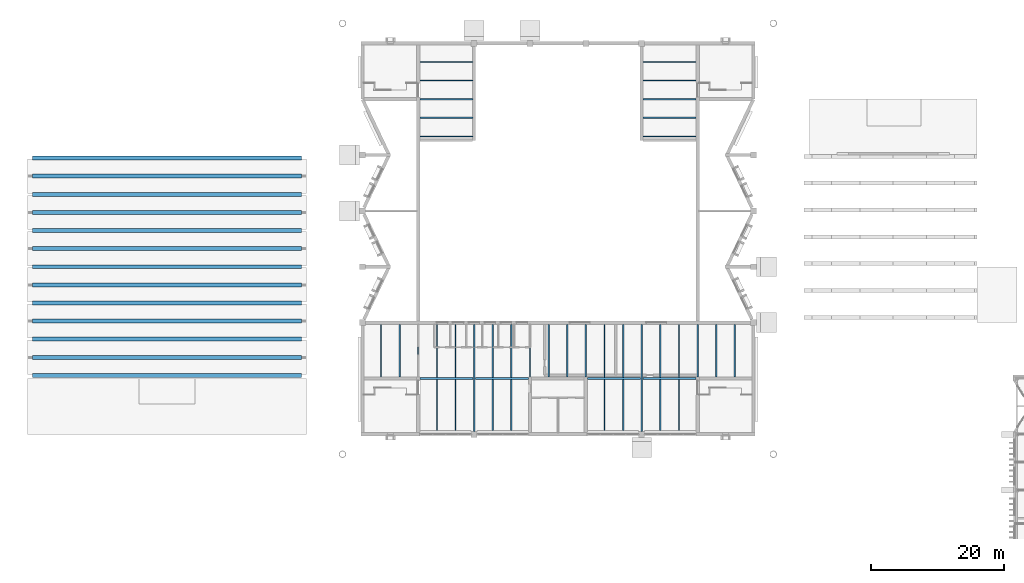
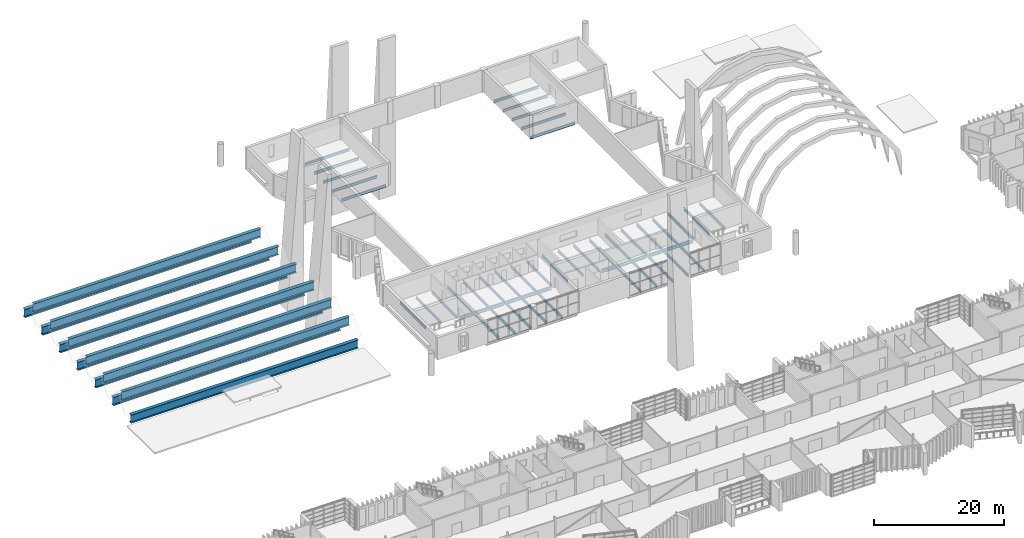
# One storey, part 36 of 88: 55 beams.
"""IFC4 building model written with IfcOpenShell, lengths in metres."""

from ifc_helpers import new_model, si_unit, direction, frame, origin, origin_2d, place, context, subcontext, project, spatial, i_section, extrude, material, material_profile, profile_set, type_object, element, save


model = new_model("IFC4")

# Units and contexts
model_context = context("Model", 3, precision=1e-05, world=origin(), true_north=direction((0.0, 1.0)))
body_context = subcontext(model_context, "Body", "Model", "MODEL_VIEW")
ifc_project = project(units=[si_unit("LENGTHUNIT", "METRE"), si_unit("AREAUNIT", "SQUARE_METRE"), si_unit("VOLUMEUNIT", "CUBIC_METRE"), si_unit("PLANEANGLEUNIT", "RADIAN"), si_unit("MASSUNIT", "GRAM", prefix="KILO")], contexts=[model_context])

# Site, building, storey
site_placement = place(None, origin())
site = spatial("IfcSite", under=ifc_project, at=site_placement, CompositionType="ELEMENT")
building_placement = place(site_placement, origin())
building = spatial("IfcBuilding", under=site, at=building_placement, Name="Cresset Court Congress Hotel", CompositionType="ELEMENT")
storey_placement = place(building_placement, frame((0.0, 0.0, 14.39990234375)))
storey = spatial("IfcBuildingStorey", under=building, at=storey_placement, Name="L03", CompositionType="ELEMENT", Elevation=14.39990234375)

# Beams
ifc_material_1 = material(Name="Structural steel Q355B", Category="steel")
ifc_material_profile_1 = material_profile(ifc_material_1, i_section(OverallWidth=0.60009765625, OverallDepth=1.56396484375, WebThickness=0.02001953125, FlangeThickness=0.031982421875, at=origin_2d()), Name="WH1500x600x20x32")
ifc_profile_set_1 = profile_set([ifc_material_profile_1], Name="Structural steel Q355B")
beam_type_1 = type_object("IfcBeamType", Name="Fold beam WH1500x600x20x32", PredefinedType="BEAM", material=ifc_profile_set_1)
for number, where, z_axis, x_axis, name in (
    (1, (9.199951171875, 67.64990234375, 0.848876953125), (1.0, 0.0, 0.0), (0.0, 1.0, 0.0), "Valley fold beam FB01"),
    (2, (9.199951171875, 70.375, 3.5185546875), (1.0, 0.0, 0.0), (0.0, 1.0, 0.0), "Ridge fold beam FB02"),
    (3, (9.199951171875, 73.10009765625, 0.848876953125), (1.0, 0.0, 0.0), (0.0, 1.0, 0.0), "Valley fold beam FB03"),
    (4, (9.199951171875, 75.824951171875, 3.5185546875), (1.0, 0.0, 0.0), (0.0, 1.0, 0.0), "Ridge fold beam FB04"),
    (5, (9.199951171875, 78.550048828125, 0.848876953125), (1.0, 0.0, 0.0), (0.0, 1.0, 0.0), "Valley fold beam FB05"),
    (6, (9.199951171875, 81.27490234375, 3.5185546875), (1.0, 0.0, 0.0), (0.0, 1.0, 0.0), "Ridge fold beam FB06"),
    (7, (9.199951171875, 84.0, 0.848876953125), (1.0, 0.0, 0.0), (0.0, 1.0, 0.0), "Valley fold beam FB07"),
    (8, (9.199951171875, 86.72509765625, 3.5185546875), (1.0, 0.0, 0.0), (0.0, 1.0, 0.0), "Ridge fold beam FB08"),
    (9, (9.199951171875, 89.449951171875, 0.848876953125), (1.0, 0.0, 0.0), (0.0, 1.0, 0.0), "Valley fold beam FB09"),
    (10, (9.199951171875, 92.175048828125, 3.5185546875), (1.0, 0.0, 0.0), (0.0, 1.0, 0.0), "Ridge fold beam FB10"),
    (11, (9.199951171875, 94.89990234375, 0.848876953125), (1.0, 0.0, 0.0), (0.0, 1.0, 0.0), "Valley fold beam FB11"),
    (12, (9.199951171875, 97.625, 3.5185546875), (1.0, 0.0, 0.0), (0.0, 1.0, 0.0), "Ridge fold beam FB12"),
    (13, (9.199951171875, 100.35009765625, 0.848876953125), (1.0, 0.0, 0.0), (0.0, 1.0, 0.0), "Valley fold beam FB13"),
):
    element("IfcBeam", number, at=place(storey_placement, frame(where, z_axis=z_axis, x_axis=x_axis)), inside=storey, type_object=beam_type_1, Name=name, PredefinedType="BEAM", context=body_context, shape_type="SweptSolid", body=[
        extrude(i_section(OverallWidth=0.60009765625, OverallDepth=1.56396484375, WebThickness=0.02001953125, FlangeThickness=0.031982421875, at=origin_2d()), origin(), (0.0, 0.0, 1.0), 40.400146484375),
    ])
ifc_material_2 = material(Name="Structural steel Q355B", Category="steel")
ifc_material_profile_2 = material_profile(ifc_material_2, i_section(OverallWidth=0.300048828125, OverallDepth=0.587890625, WebThickness=0.011962890625, FlangeThickness=0.02001953125, FilletRadius=0.028076171875, at=origin_2d()), Name="HM588x300x12x20")
ifc_profile_set_2 = profile_set([ifc_material_profile_2], Name="Structural steel Q355B")
beam_type_2 = type_object("IfcBeamType", Name="Steel HM588x300x12x20 girder", PredefinedType="BEAM", material=ifc_profile_set_2)
for number, where, z_axis, x_axis, name in (
    (14, (67.449951171875, 67.199951171875, -0.44384765625), (1.0, 0.0, 0.0), (0.0, 1.0, 0.0), "Girder CG-F031"),
    (15, (75.800048828125, 67.199951171875, -0.44384765625), (1.0, 0.0, 0.0), (0.0, 1.0, 0.0), "Girder CG-F032"),
):
    element("IfcBeam", number, at=place(storey_placement, frame(where, z_axis=z_axis, x_axis=x_axis)), inside=storey, type_object=beam_type_2, Name=name, PredefinedType="BEAM", context=body_context, shape_type="SweptSolid", body=[
        extrude(i_section(OverallWidth=0.300048828125, OverallDepth=0.587890625, WebThickness=0.011962890625, FlangeThickness=0.02001953125, FilletRadius=0.028076171875, at=origin_2d()), origin(), (0.0, 0.0, 1.0), 7.949951171875),
    ])
beam_1_placement = place(storey_placement, frame((92.64990234375, 67.199951171875, -0.44384765625), z_axis=(1.0, 0.0, 0.0), x_axis=(0.0, 1.0, 0.0)))
element("IfcBeam", 16, at=beam_1_placement, inside=storey, type_object=beam_type_2, Name="Girder CG-F033", PredefinedType="BEAM", context=body_context, shape_type="SweptSolid", body=[
    extrude(i_section(OverallWidth=0.300048828125, OverallDepth=0.587890625, WebThickness=0.011962890625, FlangeThickness=0.02001953125, FilletRadius=0.028076171875, at=origin_2d()), origin(), (0.0, 0.0, 1.0), 7.9501953125),
])
beam_2_placement = place(storey_placement, frame((101.0, 67.199951171875, -0.44384765625), z_axis=(1.0, 0.0, 0.0), x_axis=(0.0, 1.0, 0.0)))
element("IfcBeam", 17, at=beam_2_placement, inside=storey, type_object=beam_type_2, Name="Girder CG-F034", PredefinedType="BEAM", context=body_context, shape_type="SweptSolid", body=[
    extrude(i_section(OverallWidth=0.300048828125, OverallDepth=0.587890625, WebThickness=0.011962890625, FlangeThickness=0.02001953125, FilletRadius=0.028076171875, at=origin_2d()), origin(), (0.0, 0.0, 1.0), 7.949951171875),
])
ifc_material_3 = material(Name="Structural steel Q355B", Category="steel")
ifc_material_profile_3 = material_profile(ifc_material_3, i_section(OverallWidth=0.199951171875, OverallDepth=0.5, WebThickness=0.010009765625, FlangeThickness=0.01611328125, FilletRadius=0.012939453125, at=origin_2d()), Name="HN500x200x10x16")
ifc_profile_set_3 = profile_set([ifc_material_profile_3], Name="Structural steel Q355B")
beam_type_3 = type_object("IfcBeamType", Name="Steel HN500x200x10x16 beam", PredefinedType="BEAM", material=ifc_profile_set_3)
for number, where, z_axis, x_axis, name in (
    (18, (61.60009765625, 67.449951171875, -0.39990234375), (0.0, 1.0, 0.0), (-1.0, 0.0, 0.0), "Beam CB-F031"),
    (19, (64.39990234375, 67.449951171875, -0.39990234375), (0.0, 1.0, 0.0), (-1.0, 0.0, 0.0), "Beam CB-F032"),
    (20, (67.199951171875, 67.449951171875, -0.39990234375), (0.0, 1.0, 0.0), (-1.0, 0.0, 0.0), "Beam CB-F033"),
):
    element("IfcBeam", number, at=place(storey_placement, frame(where, z_axis=z_axis, x_axis=x_axis)), inside=storey, type_object=beam_type_3, Name=name, PredefinedType="BEAM", context=body_context, shape_type="SweptSolid", body=[
        extrude(i_section(OverallWidth=0.199951171875, OverallDepth=0.5, WebThickness=0.010009765625, FlangeThickness=0.01611328125, FilletRadius=0.012939453125, at=origin_2d()), origin(), (0.0, 0.0, 1.0), 7.900146484375),
    ])
beam_3_placement = place(storey_placement, frame((70.0, 59.35009765625, -0.39990234375), z_axis=(0.0, 1.0, 0.0), x_axis=(-1.0, 0.0, 0.0)))
element("IfcBeam", 21, at=beam_3_placement, inside=storey, type_object=beam_type_3, Name="Beam CB-F034", PredefinedType="BEAM", context=body_context, shape_type="SweptSolid", body=[
    extrude(i_section(OverallWidth=0.199951171875, OverallDepth=0.5, WebThickness=0.010009765625, FlangeThickness=0.01611328125, FilletRadius=0.012939453125, at=origin_2d()), origin(), (0.0, 0.0, 1.0), 7.699951171875),
])
beam_4_placement = place(storey_placement, frame((70.0, 67.35009765625, -0.39990234375), z_axis=(0.0, 1.0, 0.0), x_axis=(-1.0, 0.0, 0.0)))
element("IfcBeam", 22, at=beam_4_placement, inside=storey, type_object=beam_type_3, Name="Beam CB-F035", PredefinedType="BEAM", context=body_context, shape_type="SweptSolid", body=[
    extrude(i_section(OverallWidth=0.199951171875, OverallDepth=0.5, WebThickness=0.010009765625, FlangeThickness=0.01611328125, FilletRadius=0.012939453125, at=origin_2d()), origin(), (0.0, 0.0, 1.0), 8.0),
])
beam_5_placement = place(storey_placement, frame((72.800048828125, 59.35009765625, -0.39990234375), z_axis=(0.0, 1.0, 0.0), x_axis=(-1.0, 0.0, 0.0)))
element("IfcBeam", 23, at=beam_5_placement, inside=storey, type_object=beam_type_3, Name="Beam CB-F036", PredefinedType="BEAM", context=body_context, shape_type="SweptSolid", body=[
    extrude(i_section(OverallWidth=0.199951171875, OverallDepth=0.5, WebThickness=0.010009765625, FlangeThickness=0.01611328125, FilletRadius=0.012939453125, at=origin_2d()), origin(), (0.0, 0.0, 1.0), 7.699951171875),
])
beam_6_placement = place(storey_placement, frame((72.800048828125, 67.35009765625, -0.39990234375), z_axis=(0.0, 1.0, 0.0), x_axis=(-1.0, 0.0, 0.0)))
element("IfcBeam", 24, at=beam_6_placement, inside=storey, type_object=beam_type_3, Name="Beam CB-F037", PredefinedType="BEAM", context=body_context, shape_type="SweptSolid", body=[
    extrude(i_section(OverallWidth=0.199951171875, OverallDepth=0.5, WebThickness=0.010009765625, FlangeThickness=0.01611328125, FilletRadius=0.012939453125, at=origin_2d()), origin(), (0.0, 0.0, 1.0), 8.0),
])
beam_7_placement = place(storey_placement, frame((75.60009765625, 59.25, -0.39990234375), z_axis=(0.0, 1.0, 0.0), x_axis=(-1.0, 0.0, 0.0)))
element("IfcBeam", 25, at=beam_7_placement, inside=storey, type_object=beam_type_3, Name="Beam CB-F038", PredefinedType="BEAM", context=body_context, shape_type="SweptSolid", body=[
    extrude(i_section(OverallWidth=0.199951171875, OverallDepth=0.5, WebThickness=0.010009765625, FlangeThickness=0.01611328125, FilletRadius=0.012939453125, at=origin_2d()), origin(), (0.0, 0.0, 1.0), 16.10009765625),
])
beam_8_placement = place(storey_placement, frame((78.39990234375, 59.35009765625, -0.39990234375), z_axis=(0.0, 1.0, 0.0), x_axis=(-1.0, 0.0, 0.0)))
element("IfcBeam", 26, at=beam_8_placement, inside=storey, type_object=beam_type_3, Name="Beam CB-F039", PredefinedType="BEAM", context=body_context, shape_type="SweptSolid", body=[
    extrude(i_section(OverallWidth=0.199951171875, OverallDepth=0.5, WebThickness=0.010009765625, FlangeThickness=0.01611328125, FilletRadius=0.012939453125, at=origin_2d()), origin(), (0.0, 0.0, 1.0), 7.699951171875),
])
beam_9_placement = place(storey_placement, frame((78.39990234375, 67.35009765625, -0.39990234375), z_axis=(0.0, 1.0, 0.0), x_axis=(-1.0, 0.0, 0.0)))
element("IfcBeam", 27, at=beam_9_placement, inside=storey, type_object=beam_type_3, Name="Beam CB-F0310", PredefinedType="BEAM", context=body_context, shape_type="SweptSolid", body=[
    extrude(i_section(OverallWidth=0.199951171875, OverallDepth=0.5, WebThickness=0.010009765625, FlangeThickness=0.01611328125, FilletRadius=0.012939453125, at=origin_2d()), origin(), (0.0, 0.0, 1.0), 8.0),
])
beam_10_placement = place(storey_placement, frame((81.199951171875, 59.35009765625, -0.39990234375), z_axis=(0.0, 1.0, 0.0), x_axis=(-1.0, 0.0, 0.0)))
element("IfcBeam", 28, at=beam_10_placement, inside=storey, type_object=beam_type_3, Name="Beam CB-F0311", PredefinedType="BEAM", context=body_context, shape_type="SweptSolid", body=[
    extrude(i_section(OverallWidth=0.199951171875, OverallDepth=0.5, WebThickness=0.010009765625, FlangeThickness=0.01611328125, FilletRadius=0.012939453125, at=origin_2d()), origin(), (0.0, 0.0, 1.0), 7.699951171875),
])
beam_11_placement = place(storey_placement, frame((81.199951171875, 67.35009765625, -0.39990234375), z_axis=(0.0, 1.0, 0.0), x_axis=(-1.0, 0.0, 0.0)))
element("IfcBeam", 29, at=beam_11_placement, inside=storey, type_object=beam_type_3, Name="Beam CB-F0312", PredefinedType="BEAM", context=body_context, shape_type="SweptSolid", body=[
    extrude(i_section(OverallWidth=0.199951171875, OverallDepth=0.5, WebThickness=0.010009765625, FlangeThickness=0.01611328125, FilletRadius=0.012939453125, at=origin_2d()), origin(), (0.0, 0.0, 1.0), 8.0),
])
for number, where, z_axis, x_axis, name in (
    (30, (84.0, 67.449951171875, -0.39990234375), (0.0, 1.0, 0.0), (-1.0, 0.0, 0.0), "Beam CB-F0313"),
    (31, (86.800048828125, 67.449951171875, -0.39990234375), (0.0, 1.0, 0.0), (-1.0, 0.0, 0.0), "Beam CB-F0314"),
    (32, (89.60009765625, 67.449951171875, -0.39990234375), (0.0, 1.0, 0.0), (-1.0, 0.0, 0.0), "Beam CB-F0315"),
    (33, (92.39990234375, 67.449951171875, -0.39990234375), (0.0, 1.0, 0.0), (-1.0, 0.0, 0.0), "Beam CB-F0316"),
):
    element("IfcBeam", number, at=place(storey_placement, frame(where, z_axis=z_axis, x_axis=x_axis)), inside=storey, type_object=beam_type_3, Name=name, PredefinedType="BEAM", context=body_context, shape_type="SweptSolid", body=[
        extrude(i_section(OverallWidth=0.199951171875, OverallDepth=0.5, WebThickness=0.010009765625, FlangeThickness=0.01611328125, FilletRadius=0.012939453125, at=origin_2d()), origin(), (0.0, 0.0, 1.0), 7.900146484375),
    ])
beam_12_placement = place(storey_placement, frame((95.199951171875, 59.35009765625, -0.39990234375), z_axis=(0.0, 1.0, 0.0), x_axis=(-1.0, 0.0, 0.0)))
element("IfcBeam", 34, at=beam_12_placement, inside=storey, type_object=beam_type_3, Name="Beam CB-F0317", PredefinedType="BEAM", context=body_context, shape_type="SweptSolid", body=[
    extrude(i_section(OverallWidth=0.199951171875, OverallDepth=0.5, WebThickness=0.010009765625, FlangeThickness=0.01611328125, FilletRadius=0.012939453125, at=origin_2d()), origin(), (0.0, 0.0, 1.0), 7.699951171875),
])
beam_13_placement = place(storey_placement, frame((95.199951171875, 67.35009765625, -0.39990234375), z_axis=(0.0, 1.0, 0.0), x_axis=(-1.0, 0.0, 0.0)))
element("IfcBeam", 35, at=beam_13_placement, inside=storey, type_object=beam_type_3, Name="Beam CB-F0318", PredefinedType="BEAM", context=body_context, shape_type="SweptSolid", body=[
    extrude(i_section(OverallWidth=0.199951171875, OverallDepth=0.5, WebThickness=0.010009765625, FlangeThickness=0.01611328125, FilletRadius=0.012939453125, at=origin_2d()), origin(), (0.0, 0.0, 1.0), 8.0),
])
beam_14_placement = place(storey_placement, frame((98.0, 59.35009765625, -0.39990234375), z_axis=(0.0, 1.0, 0.0), x_axis=(-1.0, 0.0, 0.0)))
element("IfcBeam", 36, at=beam_14_placement, inside=storey, type_object=beam_type_3, Name="Beam CB-F0319", PredefinedType="BEAM", context=body_context, shape_type="SweptSolid", body=[
    extrude(i_section(OverallWidth=0.199951171875, OverallDepth=0.5, WebThickness=0.010009765625, FlangeThickness=0.01611328125, FilletRadius=0.012939453125, at=origin_2d()), origin(), (0.0, 0.0, 1.0), 7.699951171875),
])
beam_15_placement = place(storey_placement, frame((98.0, 67.35009765625, -0.39990234375), z_axis=(0.0, 1.0, 0.0), x_axis=(-1.0, 0.0, 0.0)))
element("IfcBeam", 37, at=beam_15_placement, inside=storey, type_object=beam_type_3, Name="Beam CB-F0320", PredefinedType="BEAM", context=body_context, shape_type="SweptSolid", body=[
    extrude(i_section(OverallWidth=0.199951171875, OverallDepth=0.5, WebThickness=0.010009765625, FlangeThickness=0.01611328125, FilletRadius=0.012939453125, at=origin_2d()), origin(), (0.0, 0.0, 1.0), 8.0),
])
beam_16_placement = place(storey_placement, frame((100.800048828125, 59.25, -0.39990234375), z_axis=(0.0, 1.0, 0.0), x_axis=(-1.0, 0.0, 0.0)))
element("IfcBeam", 38, at=beam_16_placement, inside=storey, type_object=beam_type_3, Name="Beam CB-F0321", PredefinedType="BEAM", context=body_context, shape_type="SweptSolid", body=[
    extrude(i_section(OverallWidth=0.199951171875, OverallDepth=0.5, WebThickness=0.010009765625, FlangeThickness=0.01611328125, FilletRadius=0.012939453125, at=origin_2d()), origin(), (0.0, 0.0, 1.0), 16.10009765625),
])
beam_17_placement = place(storey_placement, frame((103.60009765625, 59.35009765625, -0.39990234375), z_axis=(0.0, 1.0, 0.0), x_axis=(-1.0, 0.0, 0.0)))
element("IfcBeam", 39, at=beam_17_placement, inside=storey, type_object=beam_type_3, Name="Beam CB-F0322", PredefinedType="BEAM", context=body_context, shape_type="SweptSolid", body=[
    extrude(i_section(OverallWidth=0.199951171875, OverallDepth=0.5, WebThickness=0.010009765625, FlangeThickness=0.01611328125, FilletRadius=0.012939453125, at=origin_2d()), origin(), (0.0, 0.0, 1.0), 7.699951171875),
])
beam_18_placement = place(storey_placement, frame((103.60009765625, 67.35009765625, -0.39990234375), z_axis=(0.0, 1.0, 0.0), x_axis=(-1.0, 0.0, 0.0)))
element("IfcBeam", 40, at=beam_18_placement, inside=storey, type_object=beam_type_3, Name="Beam CB-F0323", PredefinedType="BEAM", context=body_context, shape_type="SweptSolid", body=[
    extrude(i_section(OverallWidth=0.199951171875, OverallDepth=0.5, WebThickness=0.010009765625, FlangeThickness=0.01611328125, FilletRadius=0.012939453125, at=origin_2d()), origin(), (0.0, 0.0, 1.0), 8.0),
])
beam_19_placement = place(storey_placement, frame((106.39990234375, 59.35009765625, -0.39990234375), z_axis=(0.0, 1.0, 0.0), x_axis=(-1.0, 0.0, 0.0)))
element("IfcBeam", 41, at=beam_19_placement, inside=storey, type_object=beam_type_3, Name="Beam CB-F0324", PredefinedType="BEAM", context=body_context, shape_type="SweptSolid", body=[
    extrude(i_section(OverallWidth=0.199951171875, OverallDepth=0.5, WebThickness=0.010009765625, FlangeThickness=0.01611328125, FilletRadius=0.012939453125, at=origin_2d()), origin(), (0.0, 0.0, 1.0), 7.699951171875),
])
beam_20_placement = place(storey_placement, frame((106.39990234375, 67.35009765625, -0.39990234375), z_axis=(0.0, 1.0, 0.0), x_axis=(-1.0, 0.0, 0.0)))
element("IfcBeam", 42, at=beam_20_placement, inside=storey, type_object=beam_type_3, Name="Beam CB-F0325", PredefinedType="BEAM", context=body_context, shape_type="SweptSolid", body=[
    extrude(i_section(OverallWidth=0.199951171875, OverallDepth=0.5, WebThickness=0.010009765625, FlangeThickness=0.01611328125, FilletRadius=0.012939453125, at=origin_2d()), origin(), (0.0, 0.0, 1.0), 8.0),
])
for number, where, z_axis, x_axis, name in (
    (43, (109.199951171875, 67.449951171875, -0.39990234375), (0.0, 1.0, 0.0), (-1.0, 0.0, 0.0), "Beam CB-F0326"),
    (44, (112.0, 67.449951171875, -0.39990234375), (0.0, 1.0, 0.0), (-1.0, 0.0, 0.0), "Beam CB-F0327"),
    (45, (114.800048828125, 67.449951171875, -0.39990234375), (0.0, 1.0, 0.0), (-1.0, 0.0, 0.0), "Beam CB-F0328"),
):
    element("IfcBeam", number, at=place(storey_placement, frame(where, z_axis=z_axis, x_axis=x_axis)), inside=storey, type_object=beam_type_3, Name=name, PredefinedType="BEAM", context=body_context, shape_type="SweptSolid", body=[
        extrude(i_section(OverallWidth=0.199951171875, OverallDepth=0.5, WebThickness=0.010009765625, FlangeThickness=0.01611328125, FilletRadius=0.012939453125, at=origin_2d()), origin(), (0.0, 0.0, 1.0), 7.900146484375),
    ])
for number, where, z_axis, x_axis, name in (
    (46, (67.449951171875, 103.60009765625, -0.39990234375), (1.0, 0.0, 0.0), (0.0, 1.0, 0.0), "Beam CB-W1031"),
    (47, (67.449951171875, 106.39990234375, -0.39990234375), (1.0, 0.0, 0.0), (0.0, 1.0, 0.0), "Beam CB-W1032"),
    (48, (67.449951171875, 109.199951171875, -0.39990234375), (1.0, 0.0, 0.0), (0.0, 1.0, 0.0), "Beam CB-W1033"),
    (49, (67.449951171875, 112.0, -0.39990234375), (1.0, 0.0, 0.0), (0.0, 1.0, 0.0), "Beam CB-W1034"),
    (50, (67.449951171875, 114.800048828125, -0.39990234375), (1.0, 0.0, 0.0), (0.0, 1.0, 0.0), "Beam CB-W1035"),
    (51, (101.0, 103.60009765625, -0.39990234375), (1.0, 0.0, 0.0), (0.0, 1.0, 0.0), "Beam CB-W2031"),
    (52, (101.0, 106.39990234375, -0.39990234375), (1.0, 0.0, 0.0), (0.0, 1.0, 0.0), "Beam CB-W2032"),
    (53, (101.0, 109.199951171875, -0.39990234375), (1.0, 0.0, 0.0), (0.0, 1.0, 0.0), "Beam CB-W2033"),
    (54, (101.0, 112.0, -0.39990234375), (1.0, 0.0, 0.0), (0.0, 1.0, 0.0), "Beam CB-W2034"),
    (55, (101.0, 114.800048828125, -0.39990234375), (1.0, 0.0, 0.0), (0.0, 1.0, 0.0), "Beam CB-W2035"),
):
    element("IfcBeam", number, at=place(storey_placement, frame(where, z_axis=z_axis, x_axis=x_axis)), inside=storey, type_object=beam_type_3, Name=name, PredefinedType="BEAM", context=body_context, shape_type="SweptSolid", body=[
        extrude(i_section(OverallWidth=0.199951171875, OverallDepth=0.5, WebThickness=0.010009765625, FlangeThickness=0.01611328125, FilletRadius=0.012939453125, at=origin_2d()), origin(), (0.0, 0.0, 1.0), 7.949951171875),
    ])

save(model, "model.ifc")
